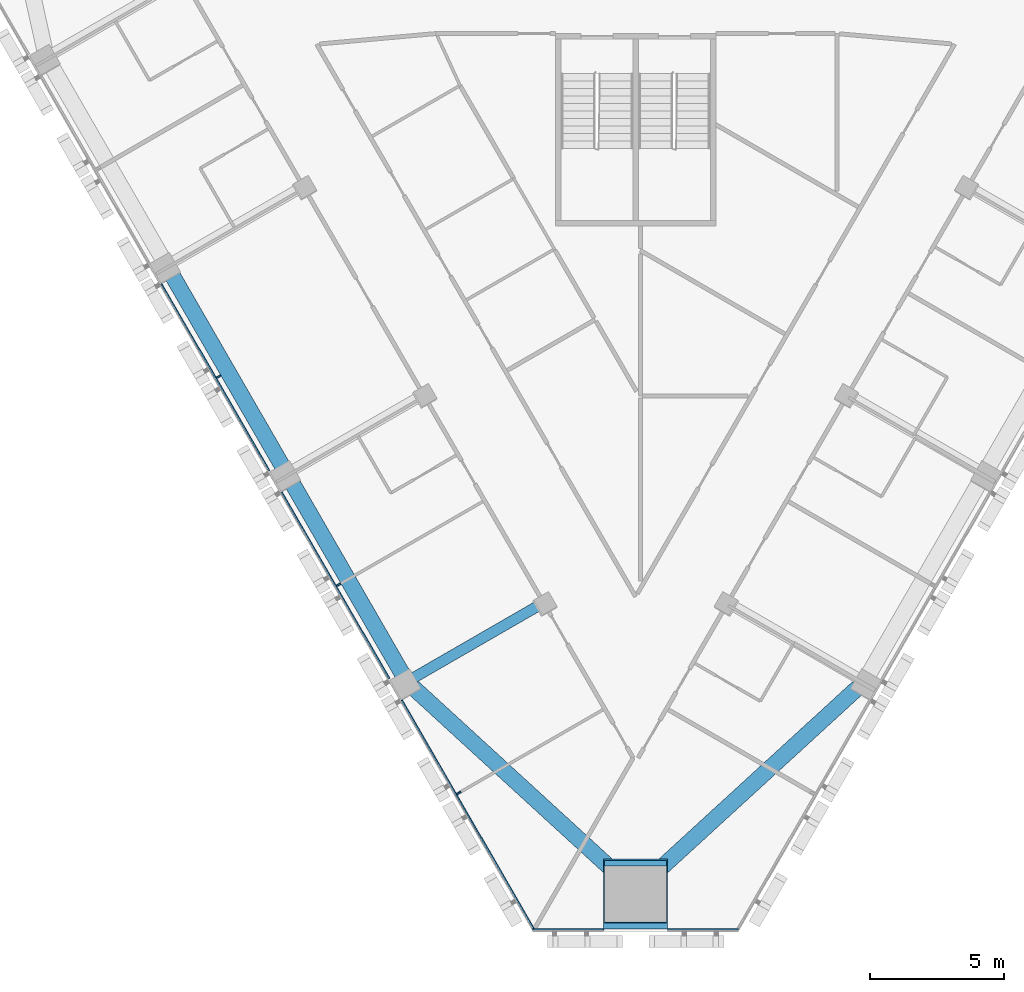
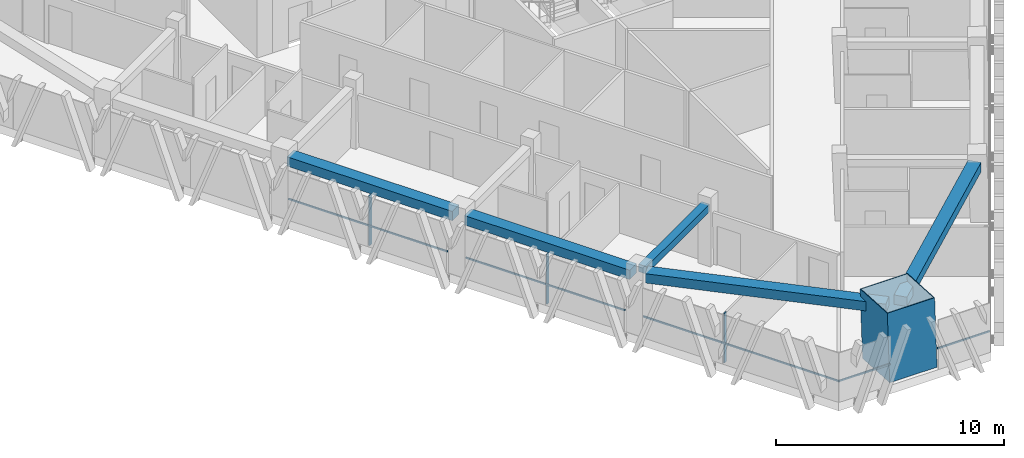
# One storey, part 2 of 16: 9 members, 5 beams, 2 elements without a shape of their own.
"""IFC4 building model written with IfcOpenShell, lengths in metres."""

import ifcopenshell
import ifcopenshell.guid

model = None  # the IFC model being written
_history = None  # IfcOwnerHistory: only IFC2X3 demands one
_inside = {}  # id of a spatial element -> (the spatial element, [elements in it])
_under = {}  # id of a project, library or spatial element -> (it, [spatial elements below it])
_declared = {}  # id of a project -> (the project, [libraries it declares])
_typed = {}  # id of a type object -> (the type object, [elements of that type])
_made_of = {}  # id of a material, layer set ... -> (it, [elements and type objects made of it])


def new_model(schema):
    """Start an empty IFC model of exactly this schema.

    Asked for "IFC4X3", IfcOpenShell would pick the latest addendum, in which some entities
    have other attributes; the version numbers below select the first issue.
    IFC2X3 requires an IfcOwnerHistory on every rooted entity: one is made here for all.
    """
    global model, _history
    if schema == "IFC4X3":
        model = ifcopenshell.file(schema_version=(4, 3, 0, 0))
    else:
        model = ifcopenshell.file(schema=schema)
    _inside.clear()
    _under.clear()
    _declared.clear()
    _typed.clear()
    _made_of.clear()
    _history = None
    if model.schema == "IFC2X3":
        org = make("IfcOrganization", Name="unknown")
        user = make(
            "IfcPersonAndOrganization",
            ThePerson=make("IfcPerson", FamilyName="unknown"),
            TheOrganization=org,
        )
        app = make(
            "IfcApplication",
            ApplicationDeveloper=org,
            Version="unknown",
            ApplicationFullName="unknown",
            ApplicationIdentifier="unknown",
        )
        _history = make(
            "IfcOwnerHistory",
            OwningUser=user,
            OwningApplication=app,
            ChangeAction="ADDED",
            CreationDate=0,
        )
    return model


def make(cls, **values):
    """One entity of the class cls with the attributes given. An attribute that is None is left unset."""
    return model.create_entity(
        cls, **{name: value for name, value in values.items() if value is not None}
    )


def rooted(cls, **values):
    """An entity with a GlobalId (a new one), such as an element, a storey or a relation."""
    return make(cls, GlobalId=ifcopenshell.guid.new(), OwnerHistory=_history, **values)


def si_unit(unit_type, name, prefix=None):
    """IfcSIUnit, for example si_unit("LENGTHUNIT", "METRE", prefix="MILLI")."""
    return make("IfcSIUnit", UnitType=unit_type, Prefix=prefix, Name=name)


def assignment(units):
    """IfcUnitAssignment: the units of a project."""
    return None if units is None else make("IfcUnitAssignment", Units=units)


def point(xyz):
    """IfcCartesianPoint."""
    return None if xyz is None else make("IfcCartesianPoint", Coordinates=xyz)


def direction(xyz):
    """IfcDirection."""
    return None if xyz is None else make("IfcDirection", DirectionRatios=xyz)


def frame(location, z_axis=None, x_axis=None):
    """IfcAxis2Placement3D, a coordinate frame: its origin and axes. An axis left out is left unset."""
    return make(
        "IfcAxis2Placement3D",
        Location=point(location),
        Axis=direction(z_axis),
        RefDirection=direction(x_axis),
    )


def frame_2d(location, x_axis=None):
    """IfcAxis2Placement2D, a coordinate frame in the plane: its origin and x axis."""
    return make(
        "IfcAxis2Placement2D", Location=point(location), RefDirection=direction(x_axis)
    )


def origin():
    """The frame at (0, 0, 0) with its axes left unset."""
    return frame((0.0, 0.0, 0.0))


def origin_2d():
    """The frame at (0, 0) in the plane with its x axis left unset."""
    return frame_2d((0.0, 0.0))


def place(relative_to, where):
    """IfcLocalPlacement: puts the frame where relative to a parent placement (None: the world)."""
    return make(
        "IfcLocalPlacement", PlacementRelTo=relative_to, RelativePlacement=where
    )


def context(
    kind, dimensions, precision=None, world=None, true_north=None, identifier=None
):
    """IfcGeometricRepresentationContext, for example the 3D "Model" context."""
    return make(
        "IfcGeometricRepresentationContext",
        ContextIdentifier=identifier,
        ContextType=kind,
        CoordinateSpaceDimension=dimensions,
        Precision=precision,
        WorldCoordinateSystem=world,
        TrueNorth=true_north,
    )


def subcontext(parent, identifier, kind, view, scale=None):
    """IfcGeometricRepresentationSubContext, for example "Body" below "Model"."""
    return make(
        "IfcGeometricRepresentationSubContext",
        ContextIdentifier=identifier,
        ContextType=kind,
        ParentContext=parent,
        TargetScale=scale,
        TargetView=view,
    )


def project(units=None, contexts=None):
    """IfcProject with its units and contexts."""
    return rooted(
        "IfcProject",
        Name="project",
        RepresentationContexts=contexts,
        UnitsInContext=assignment(units),
    )


def spatial(cls, under=None, at=None, **own):
    """A site, building, storey or space (cls), placed at a placement, below another one or the project."""
    s = rooted(cls, ObjectPlacement=at, **own)
    if under is not None:
        _under.setdefault(under.id(), (under, []))[1].append(s)
    return s


def profile(cls, at=None, kind="AREA", **sizes):
    """A parametric profile (cls). Its sizes go by their IFC names, for example OverallWidth=200.0."""
    return make(cls, ProfileType=kind, Position=at, **sizes)


def rectangle(**sizes):
    """IfcRectangleProfileDef."""
    return profile("IfcRectangleProfileDef", **sizes)


def hollow_rectangle(**sizes):
    """IfcRectangleHollowProfileDef."""
    return profile("IfcRectangleHollowProfileDef", **sizes)


def extrude(swept, where, along, depth):
    """IfcExtrudedAreaSolid: the profile swept, set in the frame where, extruded along a direction by depth."""
    return make(
        "IfcExtrudedAreaSolid",
        SweptArea=swept,
        Position=where,
        ExtrudedDirection=direction(along),
        Depth=depth,
    )


def shape(context_of_items, identifier, shape_type, items):
    """IfcShapeRepresentation: the items that make up one representation, for example the "Body"."""
    return make(
        "IfcShapeRepresentation",
        ContextOfItems=context_of_items,
        RepresentationIdentifier=identifier,
        RepresentationType=shape_type,
        Items=items,
    )


def material(Name=None, Category=None):
    """IfcMaterial."""
    return make("IfcMaterial", Name=Name, Category=Category)


def layer(
    of_material, thickness, ventilated=None, Name=None, Category=None, Priority=None
):
    """IfcMaterialLayer: one layer of a wall or slab, of a material (None: an air gap)."""
    return make(
        "IfcMaterialLayer",
        Material=of_material,
        LayerThickness=thickness,
        IsVentilated=ventilated,
        Name=Name,
        Category=Category,
        Priority=Priority,
    )


def layer_set(layers, Name=None):
    """IfcMaterialLayerSet."""
    return make("IfcMaterialLayerSet", MaterialLayers=layers, LayerSetName=Name)


def material_profile(
    of_material, cross_section, Name=None, Category=None, Priority=None
):
    """IfcMaterialProfile: a cross section and its material."""
    return make(
        "IfcMaterialProfile",
        Name=Name,
        Material=of_material,
        Profile=cross_section,
        Priority=Priority,
        Category=Category,
    )


def profile_set(profiles, Name=None, composite=None):
    """IfcMaterialProfileSet."""
    return make(
        "IfcMaterialProfileSet",
        Name=Name,
        MaterialProfiles=profiles,
        CompositeProfile=composite,
    )


def made_of(thing, what):
    """Note that an element or type object is made of a material, layer set ...; save() writes the relation."""
    if what is not None:
        _made_of.setdefault(what.id(), (what, []))[1].append(thing)
    return thing


def type_object(cls, material=None, **own):
    """A type object (cls), such as IfcWallType, which elements share."""
    return made_of(rooted(cls, **own), material)


def element(
    cls,
    number,
    at=None,
    inside=None,
    cuts=None,
    type_object=None,
    material=None,
    context=None,
    identifier="Body",
    shape_type=None,
    held_by="IfcProductDefinitionShape",
    body=None,
    shapes=None,
    **own,
):
    """One element of the class cls, such as IfcWall. Its Tag is "e" and its number.

    at: its placement. inside: the storey or other place that contains it. cuts: it is an
    opening in that element (IfcRelVoidsElement). A single representation is given by context,
    identifier, shape_type and body (its items); several are given by shapes. held_by: the class
    of the entity that holds the representations. save() writes the other relations.
    """
    e = rooted(cls, Tag="e%d" % number, ObjectPlacement=at, **own)
    if body is not None:
        shapes = [shape(context, identifier, shape_type, body)]
    if shapes is not None:
        e.Representation = make(held_by, Representations=shapes)
    if inside is not None:
        _inside.setdefault(inside.id(), (inside, []))[1].append(e)
    if cuts is not None:
        rooted(
            "IfcRelVoidsElement", RelatingBuildingElement=cuts, RelatedOpeningElement=e
        )
    if type_object is not None:
        _typed.setdefault(type_object.id(), (type_object, []))[1].append(e)
    return made_of(e, material)


def aggregate(whole, parts):
    """IfcRelAggregates: a whole, such as a stair, and the parts it consists of."""
    return rooted("IfcRelAggregates", RelatingObject=whole, RelatedObjects=parts)


def save(model, path):
    """Write the relations noted so far, then the file.

    IfcRelAggregates (storeys below a building ...), IfcRelContainedInSpatialStructure (elements
    in a storey), IfcRelDefinesByType, IfcRelAssociatesMaterial and IfcRelDeclares: one each for
    every whole, place, type object, material and project.
    """
    for whole, parts in _under.values():
        aggregate(whole, parts)
    for where, things in _inside.values():
        rooted(
            "IfcRelContainedInSpatialStructure",
            RelatedElements=things,
            RelatingStructure=where,
        )
    for kind, things in _typed.values():
        rooted("IfcRelDefinesByType", RelatedObjects=things, RelatingType=kind)
    for what, things in _made_of.values():
        rooted("IfcRelAssociatesMaterial", RelatedObjects=things, RelatingMaterial=what)
    for by, libraries in _declared.values():
        rooted("IfcRelDeclares", RelatingContext=by, RelatedDefinitions=libraries)
    model.write(path)


model = new_model("IFC4")

# Units and contexts
model_context = context("Model", 3, precision=1e-05, world=origin(), true_north=direction((0.0, 1.0)))
body_context = subcontext(model_context, "Body", "Model", "MODEL_VIEW")
ifc_project = project(units=[si_unit("LENGTHUNIT", "METRE"), si_unit("AREAUNIT", "SQUARE_METRE"), si_unit("VOLUMEUNIT", "CUBIC_METRE"), si_unit("PLANEANGLEUNIT", "RADIAN"), si_unit("MASSUNIT", "GRAM", prefix="KILO")], contexts=[model_context])

# Site, building, storey
site_placement = place(None, origin())
site = spatial("IfcSite", under=ifc_project, at=site_placement, CompositionType="ELEMENT")
building_placement = place(site_placement, origin())
building = spatial("IfcBuilding", under=site, at=building_placement, Name="Altiplano Prism Tower", CompositionType="ELEMENT")
storey_placement = place(building_placement, frame((0.0, 0.0, 135.0)))
storey = spatial("IfcBuildingStorey", under=building, at=storey_placement, Name="L34", CompositionType="ELEMENT", Elevation=135.0)

# Curtain wall, members
ifc_material_1 = material(Name="Aluminium and glass", Category="aluminium")
ifc_layer = layer(ifc_material_1, 0.280029296875)
ifc_layer_set = layer_set([ifc_layer], Name="Aluminium and glass")
curtain_wall_type = type_object("IfcCurtainWallType", Name="CW1 typical co-living unitised curtain wall", PredefinedType="NOTDEFINED", material=ifc_layer_set)
curtain_wall_1_placement = place(storey_placement, origin())
curtain_wall_1 = element("IfcCurtainWall", 1, at=curtain_wall_1_placement, inside=storey, type_object=curtain_wall_type, Name="CW1 curtain wall south-west face L34", PredefinedType="NOTDEFINED")
ifc_material_2 = material(Name="Aluminium", Category="aluminium")
ifc_material_profile_1 = material_profile(ifc_material_2, rectangle(XDim=0.179931640625, YDim=0.06494140625, at=origin_2d()), Name="CW1 mullion 65 x 180")
ifc_profile_set_1 = profile_set([ifc_material_profile_1], Name="Aluminium")
member_type_1 = type_object("IfcMemberType", Name="CW1 mullion 65 x 180", PredefinedType="MULLION", material=ifc_profile_set_1)
member_1_placement = place(storey_placement, frame((69.377685546875, 77.75146484375, 0.0), z_axis=(0.0, 0.0, 1.0), x_axis=(0.866025401489, 0.500000003975, 0.0)))
member_1 = element("IfcMember", 2, at=member_1_placement, type_object=member_type_1, Name="CW1 mullion", PredefinedType="MULLION", context=body_context, shape_type="SweptSolid", body=[
    extrude(rectangle(XDim=0.179931640625, YDim=0.06494140625, at=origin_2d()), origin(), (0.0, 0.0, 1.0), 2.64990234375),
])
member_2_placement = place(storey_placement, frame((73.877685546875, 69.957275390625, 0.0), z_axis=(0.0, 0.0, 1.0), x_axis=(0.866025401489, 0.500000003975, 0.0)))
member_2 = element("IfcMember", 3, at=member_2_placement, type_object=member_type_1, Name="CW1 mullion", PredefinedType="MULLION", context=body_context, shape_type="SweptSolid", body=[
    extrude(rectangle(XDim=0.179931640625, YDim=0.06494140625, at=origin_2d()), origin(), (0.0, 0.0, 1.0), 2.64990234375),
])
member_3_placement = place(storey_placement, frame((78.377685546875, 62.162841796875, 0.0), z_axis=(0.0, 0.0, 1.0), x_axis=(0.866025401489, 0.500000003975, 0.0)))
member_3 = element("IfcMember", 4, at=member_3_placement, type_object=member_type_1, Name="CW1 mullion", PredefinedType="MULLION", context=body_context, shape_type="SweptSolid", body=[
    extrude(rectangle(XDim=0.179931640625, YDim=0.06494140625, at=origin_2d()), origin(), (0.0, 0.0, 1.0), 2.64990234375),
])
ifc_material_profile_2 = material_profile(ifc_material_2, rectangle(XDim=0.06005859375, YDim=0.080078125, at=origin_2d()), Name="CW1 transom 80 x 60")
ifc_profile_set_2 = profile_set([ifc_material_profile_2], Name="Aluminium")
member_type_2 = type_object("IfcMemberType", Name="CW1 transom 80 x 60", PredefinedType="USERDEFINED", material=ifc_profile_set_2)
member_4_placement = place(storey_placement, frame((67.236572265625, 81.219970703125, 1.10009765625), z_axis=(0.499994808408, -0.866028401131, 0.0), x_axis=(0.866028401131, 0.499994808408, 0.0)))
member_4 = element("IfcMember", 5, at=member_4_placement, type_object=member_type_2, Name="CW1 transom", ObjectType="TRANSOM", PredefinedType="USERDEFINED", context=body_context, shape_type="SweptSolid", body=[
    extrude(rectangle(XDim=0.06005859375, YDim=0.080078125, at=origin_2d()), origin(), (0.0, 0.0, 1.0), 8.06982421875),
])
member_5_placement = place(storey_placement, frame((71.736572265625, 73.425537109375, 1.10009765625), z_axis=(0.500007908628, -0.866020837688, 0.0), x_axis=(0.866020837688, 0.500007908628, 0.0)))
member_5 = element("IfcMember", 6, at=member_5_placement, type_object=member_type_2, Name="CW1 transom", ObjectType="TRANSOM", PredefinedType="USERDEFINED", context=body_context, shape_type="SweptSolid", body=[
    extrude(rectangle(XDim=0.06005859375, YDim=0.080078125, at=origin_2d()), origin(), (0.0, 0.0, 1.0), 8.069580078125),
])
member_6_placement = place(storey_placement, frame((76.236572265625, 65.63134765625, 1.10009765625), z_axis=(0.499999788377, -0.866025525965, 0.0), x_axis=(0.866025525965, 0.499999788377, 0.0)))
member_6 = element("IfcMember", 7, at=member_6_placement, type_object=member_type_2, Name="CW1 transom", ObjectType="TRANSOM", PredefinedType="USERDEFINED", context=body_context, shape_type="SweptSolid", body=[
    extrude(rectangle(XDim=0.06005859375, YDim=0.080078125, at=origin_2d()), origin(), (0.0, 0.0, 1.0), 9.95703125),
])
aggregate(curtain_wall_1, [member_1, member_4, member_2, member_5, member_3, member_6])

curtain_wall_2_placement = place(storey_placement, origin())
curtain_wall_2 = element("IfcCurtainWall", 8, at=curtain_wall_2_placement, inside=storey, type_object=curtain_wall_type, Name="CW1 curtain wall south chamfer L34", PredefinedType="NOTDEFINED")
member_7_placement = place(storey_placement, frame((81.154541015625, 57.043212890625, 1.10009765625), z_axis=(1.0, 0.0, 0.0), x_axis=(0.0, 1.0, 0.0)))
member_7 = element("IfcMember", 9, at=member_7_placement, type_object=member_type_2, Name="CW1 transom", ObjectType="TRANSOM", PredefinedType="USERDEFINED", context=body_context, shape_type="SweptSolid", body=[
    extrude(rectangle(XDim=0.06005859375, YDim=0.080078125, at=origin_2d()), origin(), (0.0, 0.0, 1.0), 2.6455078125),
])
member_8_placement = place(storey_placement, frame((86.199951171875, 57.043212890625, 1.10009765625), z_axis=(1.0, 0.0, 0.0), x_axis=(0.0, 1.0, 0.0)))
member_8 = element("IfcMember", 10, at=member_8_placement, type_object=member_type_2, Name="CW1 transom", ObjectType="TRANSOM", PredefinedType="USERDEFINED", context=body_context, shape_type="SweptSolid", body=[
    extrude(rectangle(XDim=0.06005859375, YDim=0.080078125, at=origin_2d()), origin(), (0.0, 0.0, 1.0), 2.6455078125),
])
aggregate(curtain_wall_2, [member_7, member_8])

# Beams
ifc_material_3 = material(Name="Concrete C60/75", Category="concrete")
ifc_material_profile_3 = material_profile(ifc_material_3, rectangle(XDim=0.60009765625, YDim=0.5, at=origin_2d()), Name="Edge beam 600x500")
ifc_profile_set_3 = profile_set([ifc_material_profile_3], Name="Concrete C60/75")
beam_type_1 = type_object("IfcBeamType", Name="Edge beam 600x500", PredefinedType="SPANDREL", material=ifc_profile_set_3)
for number, where, z_axis, x_axis, name in (
    (11, (67.58544921875, 81.65283203125, 2.89990234375), (0.499988621418, -0.866031973112, 0.0), (0.866031973112, 0.499988621418, 0.0), "Edge beam P12-P13 L35"),
    (12, (72.08544921875, 73.858642578125, 2.89990234375), (0.499988621418, -0.866031973112, 0.0), (0.866031973112, 0.499988621418, 0.0), "Edge beam P13-P14 L35"),
):
    element("IfcBeam", number, at=place(storey_placement, frame(where, z_axis=z_axis, x_axis=x_axis)), inside=storey, type_object=beam_type_1, Name=name, PredefinedType="SPANDREL", context=body_context, shape_type="SweptSolid", body=[
        extrude(rectangle(XDim=0.60009765625, YDim=0.5, at=origin_2d()), origin(), (0.0, 0.0, 1.0), 8.389892578125),
    ])
for number, where, z_axis, x_axis, name in (
    (13, (76.673095703125, 66.108642578125, 2.89990234375), (0.737513010136, -0.675332925215, 0.0), (0.675332925215, 0.737513010136, 0.0), "Edge beam P14-M1 L35"),
    (14, (85.331787109375, 58.78759765625, 2.89990234375), (0.737513010136, 0.675332925215, 0.0), (-0.675332925215, 0.737513010136, 0.0), "Edge beam M1-P21 L35"),
):
    element("IfcBeam", number, at=place(storey_placement, frame(where, z_axis=z_axis, x_axis=x_axis)), inside=storey, type_object=beam_type_1, Name=name, PredefinedType="SPANDREL", context=body_context, shape_type="SweptSolid", body=[
        extrude(rectangle(XDim=0.60009765625, YDim=0.5, at=origin_2d()), origin(), (0.0, 0.0, 1.0), 10.840576171875),
    ])

# Member
ifc_material_4 = material(Name="Steel S460", Category="steel")
ifc_material_profile_4 = material_profile(ifc_material_4, hollow_rectangle(XDim=2.39990234375, YDim=2.39990234375, WallThickness=0.0400390625, at=origin_2d()), Name="Mega column tube 2400")
ifc_profile_set_4 = profile_set([ifc_material_profile_4], Name="Steel S460")
member_type_3 = type_object("IfcMemberType", Name="Mega column tube 2400", PredefinedType="POST", material=ifc_profile_set_4)
member_9_placement = place(storey_placement, frame((85.0, 58.273193359375, 0.0), z_axis=(0.0, 0.058356907999, 0.998295783467), x_axis=(-1.0, 0.0, 0.0)))
element("IfcMember", 15, at=member_9_placement, inside=storey, type_object=member_type_3, Name="Mega column tube M1 L34", PredefinedType="POST", context=body_context, shape_type="SweptSolid", body=[
    extrude(hollow_rectangle(XDim=2.39990234375, YDim=2.39990234375, WallThickness=0.0400390625, at=origin_2d()), origin(), (0.0, 0.0, 1.0), 3.606201171875),
])

# Beam
ifc_material_profile_5 = material_profile(ifc_material_3, rectangle(XDim=0.39990234375, YDim=0.39990234375, at=origin_2d()), Name="Tie beam 400x400")
ifc_profile_set_5 = profile_set([ifc_material_profile_5], Name="Concrete C60/75")
beam_type_2 = type_object("IfcBeamType", Name="Tie beam 400x400", PredefinedType="BEAM", material=ifc_profile_set_5)
beam_placement = place(storey_placement, frame((81.494873046875, 69.2509765625, 2.949951171875), z_axis=(-0.866046155052, -0.499964056028, 0.0), x_axis=(0.499964056028, -0.866046155052, 0.0)))
element("IfcBeam", 16, at=beam_placement, inside=storey, type_object=beam_type_2, Name="Tie beam I14 L35", PredefinedType="BEAM", context=body_context, shape_type="SweptSolid", body=[
    extrude(rectangle(XDim=0.39990234375, YDim=0.39990234375, at=origin_2d()), origin(), (0.0, 0.0, 1.0), 5.5400390625),
])

save(model, "model.ifc")
